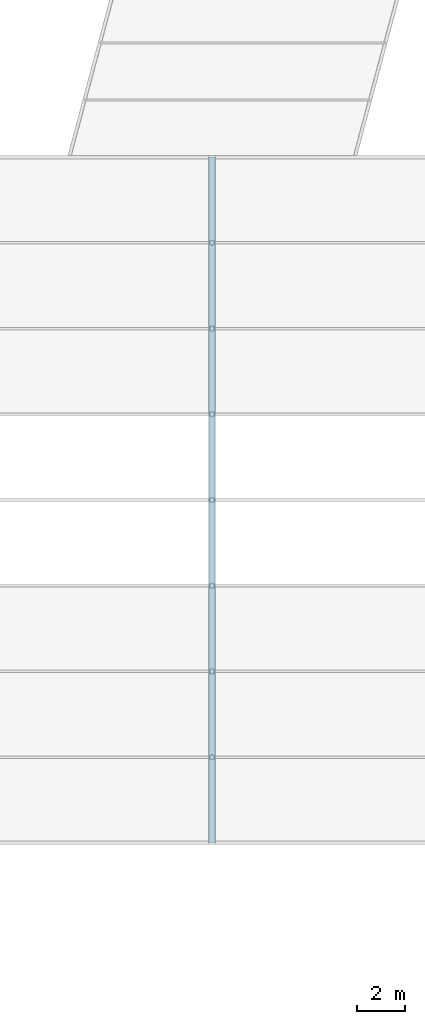
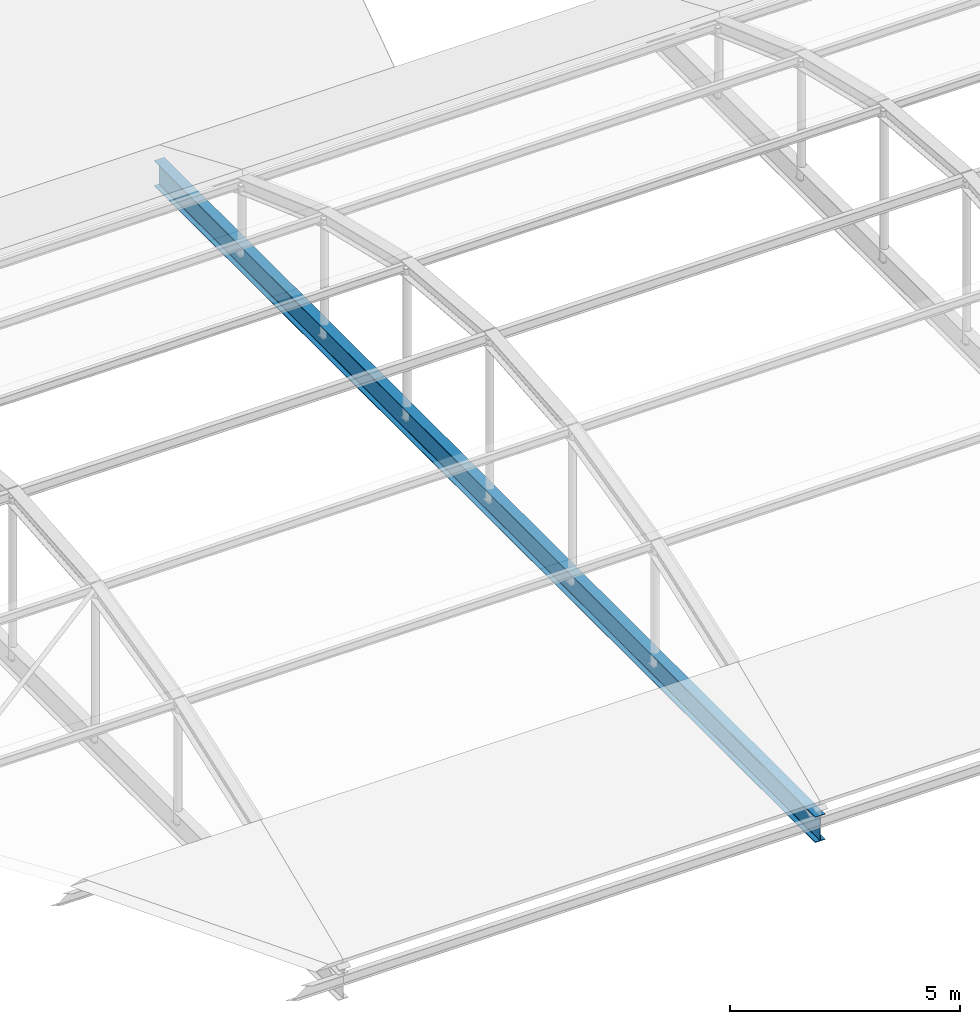
# One storey, part 175 of 239: 1 beam.
"""IFC4 building model written with IfcOpenShell, lengths in metres."""

from ifc_helpers import new_model, si_unit, direction, frame, origin, origin_2d, place, context, subcontext, project, spatial, i_section, extrude, material, material_profile, profile_set, type_object, element, save


model = new_model("IFC4")

# Units and contexts
model_context = context("Model", 3, precision=1e-05, world=origin(), true_north=direction((0.0, 1.0)))
body_context = subcontext(model_context, "Body", "Model", "MODEL_VIEW")
ifc_project = project(units=[si_unit("LENGTHUNIT", "METRE"), si_unit("AREAUNIT", "SQUARE_METRE"), si_unit("VOLUMEUNIT", "CUBIC_METRE"), si_unit("PLANEANGLEUNIT", "RADIAN"), si_unit("MASSUNIT", "GRAM", prefix="KILO")], contexts=[model_context])

# Site, building, storey
site_placement = place(None, origin())
site = spatial("IfcSite", under=ifc_project, at=site_placement, CompositionType="ELEMENT")
building_placement = place(site_placement, origin())
building = spatial("IfcBuilding", under=site, at=building_placement, Name="Dunvalen Ferry Terminal", CompositionType="ELEMENT")
storey_placement = place(building_placement, frame((0.0, 0.0, 9.840087890625)))
storey = spatial("IfcBuildingStorey", under=building, at=storey_placement, Name="L02", CompositionType="ELEMENT", Elevation=9.840087890625)

# Beam
ifc_material = material(Name="Steel S355", Category="steel")
ifc_material_profile = material_profile(ifc_material, i_section(OverallWidth=0.253662109375, OverallDepth=0.68359375, WebThickness=0.012451171875, FlangeThickness=0.01904296875, FilletRadius=0.01513671875, at=origin_2d()), Name="Steel S355")
ifc_profile_set = profile_set([ifc_material_profile], Name="Steel S355")
beam_type = type_object("IfcBeamType", Name="STR-BM-UKB686", PredefinedType="BEAM", material=ifc_profile_set)
beam_placement = place(storey_placement, frame((132.0, 57.60009765625, -0.340087890625), z_axis=(0.0, 1.0, 0.0), x_axis=(-1.0, 0.0, 0.0)))
element("IfcBeam", 1, at=beam_placement, inside=storey, type_object=beam_type, Name="Arrivals Hall Barrel-Vault Tie Girder 03", PredefinedType="BEAM", context=body_context, shape_type="SweptSolid", body=[
    extrude(i_section(OverallWidth=0.253662109375, OverallDepth=0.68359375, WebThickness=0.012451171875, FlangeThickness=0.01904296875, FilletRadius=0.01513671875, at=origin_2d()), origin(), (0.0, 0.0, 1.0), 28.7998046875),
])

save(model, "model.ifc")
